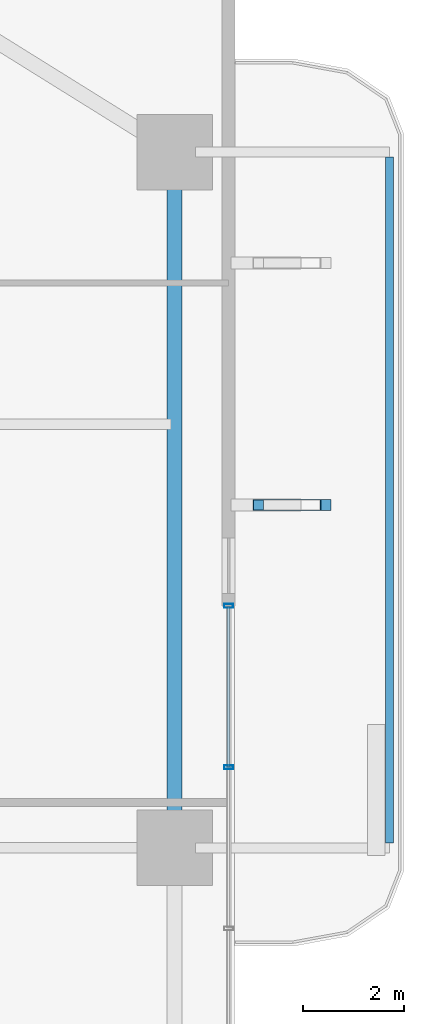
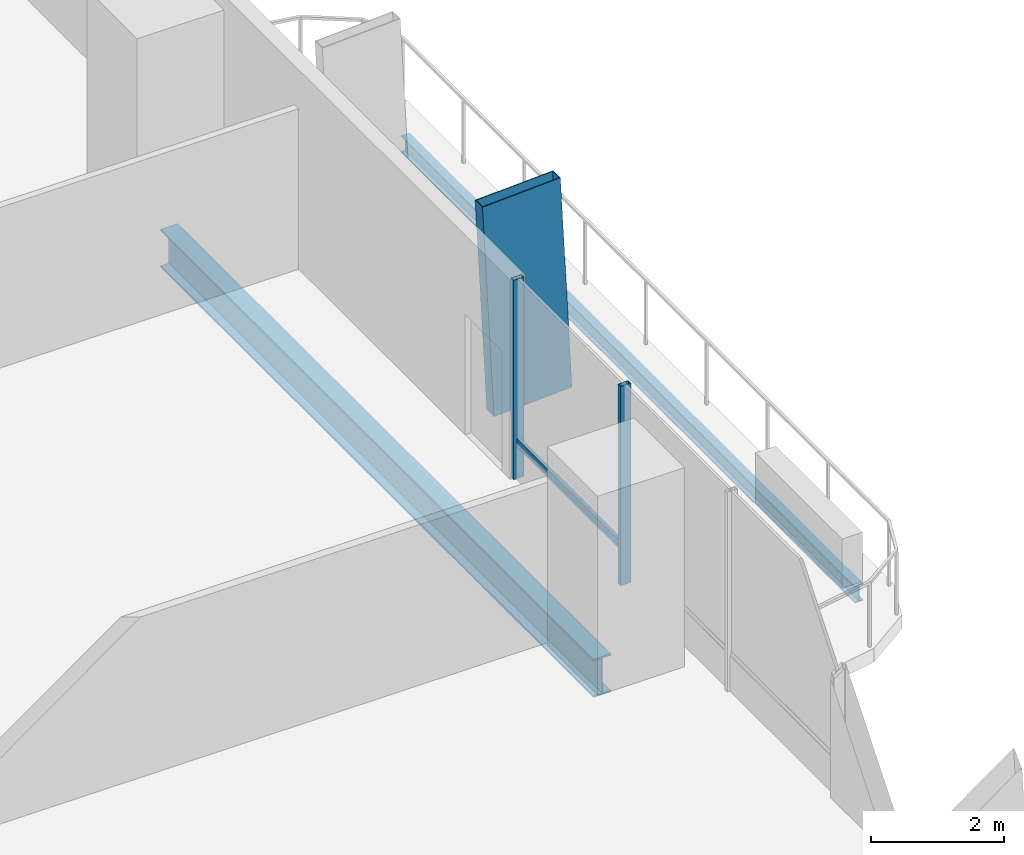
# One storey, part 13 of 24: 4 members, 2 beams, 1 element without a shape of its own.
"""IFC4 building model written with IfcOpenShell, lengths in metres."""

from ifc_helpers import new_model, si_unit, direction, frame, origin, origin_2d, place, context, subcontext, project, spatial, hollow_rectangle, i_section, extrude, material, layer, layer_set, material_profile, profile_set, type_object, element, aggregate, save


model = new_model("IFC4")

# Units and contexts
model_context = context("Model", 3, precision=1e-05, world=origin(), true_north=direction((0.0, 1.0)))
body_context = subcontext(model_context, "Body", "Model", "MODEL_VIEW")
ifc_project = project(units=[si_unit("LENGTHUNIT", "METRE"), si_unit("AREAUNIT", "SQUARE_METRE"), si_unit("VOLUMEUNIT", "CUBIC_METRE"), si_unit("PLANEANGLEUNIT", "RADIAN"), si_unit("MASSUNIT", "GRAM", prefix="KILO")], contexts=[model_context])

# Site, building, storey
site_placement = place(None, origin())
site = spatial("IfcSite", under=ifc_project, at=site_placement, CompositionType="ELEMENT")
building_placement = place(site_placement, origin())
building = spatial("IfcBuilding", under=site, at=building_placement, Name="Belovzor Exchange Tower", CompositionType="ELEMENT")
storey_placement = place(building_placement, frame((0.0, 0.0, 72.89990234375)))
storey = spatial("IfcBuildingStorey", under=building, at=storey_placement, Name="L17", CompositionType="ELEMENT", Elevation=72.89990234375)

# Member
ifc_material_1 = material(Name="Extruded Architectural Terracotta on Steel S355 Carrier", Category="masonry")
ifc_material_profile_1 = material_profile(ifc_material_1, hollow_rectangle(XDim=0.219970703125, YDim=1.35009765625, WallThickness=0.013916015625, at=origin_2d()))
ifc_profile_set_1 = profile_set([ifc_material_profile_1], Name="Extruded Architectural Terracotta on Steel S355 Carrier")
member_type_1 = type_object("IfcMemberType", Name="Base Arc Sweeping Terracotta Pylon Fin 1450", PredefinedType="USERDEFINED", material=ifc_profile_set_1)
member_1_placement = place(storey_placement, frame((57.927001953125, 35.60009765625, -0.25), z_axis=(-0.051449765599, 0.0, 0.998675583771), x_axis=(0.0, -1.0, 0.0)))
element("IfcMember", 1, at=member_1_placement, inside=storey, type_object=member_type_1, Name="FIN-TC145 Terracotta Facade Fin L17 E3", ObjectType="FIN", PredefinedType="USERDEFINED", context=body_context, shape_type="SweptSolid", body=[
    extrude(hollow_rectangle(XDim=0.219970703125, YDim=1.35009765625, WallThickness=0.013916015625, at=origin_2d()), origin(), (0.0, 0.0, 1.0), 3.9052734375),
])

# Beam
ifc_material_2 = material(Name="Steel S355", Category="steel")
ifc_material_profile_2 = material_profile(ifc_material_2, i_section(OverallWidth=0.14990234375, OverallDepth=0.300048828125, WebThickness=0.007080078125, FlangeThickness=0.0107421875, at=origin_2d()))
ifc_profile_set_2 = profile_set([ifc_material_profile_2], Name="Steel S355")
beam_type_1 = type_object("IfcBeamType", Name="Planted Balcony Fascia Edge Beam IPE 300", PredefinedType="BEAM", material=ifc_profile_set_2)
beam_1_placement = place(storey_placement, frame((59.762939453125, 28.89990234375, -0.39990234375), z_axis=(0.0, 1.0, 0.0), x_axis=(-1.0, 0.0, 0.0)))
element("IfcBeam", 2, at=beam_1_placement, inside=storey, type_object=beam_type_1, Name="BC-300 Planted Balcony Fascia Edge Beam IPE 300", PredefinedType="BEAM", context=body_context, shape_type="SweptSolid", body=[
    extrude(i_section(OverallWidth=0.14990234375, OverallDepth=0.300048828125, WebThickness=0.007080078125, FlangeThickness=0.0107421875, at=origin_2d()), origin(), (0.0, 0.0, 1.0), 13.60009765625),
])

# Curtain wall, members
ifc_material_3 = material(Name="Anodised Aluminium Framing", Category="aluminium")
ifc_layer = layer(ifc_material_3, 0.179931640625)
ifc_layer_set = layer_set([ifc_layer], Name="Anodised Aluminium Framing")
curtain_wall_type = type_object("IfcCurtainWallType", Name="Recessed Loggia Low-Iron Triple-Glazed Curtain Wall", PredefinedType="NOTDEFINED", material=ifc_layer_set)
curtain_wall_placement = place(storey_placement, origin())
curtain_wall = element("IfcCurtainWall", 3, at=curtain_wall_placement, inside=storey, type_object=curtain_wall_type, Name="CW3 Recessed Loggia Low-Iron Triple-Glazed Curtain Wall L17", PredefinedType="NOTDEFINED")
ifc_material_4 = material(Name="Steel S355", Category="steel")
ifc_material_profile_3 = material_profile(ifc_material_4, hollow_rectangle(XDim=0.074951171875, YDim=0.179931640625, WallThickness=0.0048828125, at=origin_2d()))
ifc_profile_set_3 = profile_set([ifc_material_profile_3], Name="Steel S355")
member_type_2 = type_object("IfcMemberType", Name="Thermally Broken Curtain Wall Mullion 180x75", PredefinedType="MULLION", material=ifc_profile_set_3)
member_2_placement = place(storey_placement, frame((56.570068359375, 33.60009765625, 0.0), z_axis=(0.0, 0.0, 1.0), x_axis=(0.0, -1.0, 0.0)))
member_2 = element("IfcMember", 4, at=member_2_placement, type_object=member_type_2, Name="CW-M180 Curtain Wall Mullion 1", PredefinedType="MULLION", context=body_context, shape_type="SweptSolid", body=[
    extrude(hollow_rectangle(XDim=0.074951171875, YDim=0.179931640625, WallThickness=0.0048828125, at=origin_2d()), origin(), (0.0, 0.0, 1.0), 3.650146484375),
])
member_3_placement = place(storey_placement, frame((56.570068359375, 30.39990234375, 0.0), z_axis=(0.0, 0.0, 1.0), x_axis=(0.0, -1.0, 0.0)))
member_3 = element("IfcMember", 5, at=member_3_placement, type_object=member_type_2, Name="CW-M180 Curtain Wall Mullion 2", PredefinedType="MULLION", context=body_context, shape_type="SweptSolid", body=[
    extrude(hollow_rectangle(XDim=0.074951171875, YDim=0.179931640625, WallThickness=0.0048828125, at=origin_2d()), origin(), (0.0, 0.0, 1.0), 3.650146484375),
])
ifc_material_5 = material(Name="Steel S355", Category="steel")
ifc_material_profile_4 = material_profile(ifc_material_5, hollow_rectangle(XDim=0.06005859375, YDim=0.14990234375, WallThickness=0.00390625, at=origin_2d()))
ifc_profile_set_4 = profile_set([ifc_material_profile_4], Name="Steel S355")
member_type_3 = type_object("IfcMemberType", Name="Thermally Broken Curtain Wall Transom 150x60", PredefinedType="USERDEFINED", material=ifc_profile_set_4)
member_4_placement = place(storey_placement, frame((56.570068359375, 33.592041015625, 0.650146484375), z_axis=(0.0, -1.0, 0.0), x_axis=(1.0, 0.0, 0.0)))
member_4 = element("IfcMember", 6, at=member_4_placement, type_object=member_type_3, Name="CW-T150 Curtain Wall Transom 1", ObjectType="TRANSOM", PredefinedType="USERDEFINED", context=body_context, shape_type="SweptSolid", body=[
    extrude(hollow_rectangle(XDim=0.06005859375, YDim=0.14990234375, WallThickness=0.00390625, at=origin_2d()), origin(), (0.0, 0.0, 1.0), 3.18408203125),
])
aggregate(curtain_wall, [member_2, member_3, member_4])

# Beam
ifc_material_6 = material(Name="Steel S355", Category="steel")
ifc_material_profile_5 = material_profile(ifc_material_6, i_section(OverallWidth=0.300048828125, OverallDepth=0.699951171875, WebThickness=0.01708984375, FlangeThickness=0.031982421875, at=origin_2d()))
ifc_profile_set_5 = profile_set([ifc_material_profile_5], Name="Steel S355")
beam_type_2 = type_object("IfcBeamType", Name="Zone 1 Primary Perimeter Girder HEB 700", PredefinedType="BEAM", material=ifc_profile_set_5)
beam_2_placement = place(storey_placement, frame((55.5, 29.212890625, -0.599853515625), z_axis=(0.0, 1.0, 0.0), x_axis=(-1.0, 0.0, 0.0)))
element("IfcBeam", 7, at=beam_2_placement, inside=storey, type_object=beam_type_2, Name="FG-Z1 Zone 1 Primary Perimeter Girder HEB 700", PredefinedType="BEAM", context=body_context, shape_type="SweptSolid", body=[
    extrude(i_section(OverallWidth=0.300048828125, OverallDepth=0.699951171875, WebThickness=0.01708984375, FlangeThickness=0.031982421875, at=origin_2d()), origin(), (0.0, 0.0, 1.0), 12.97509765625),
])

save(model, "model.ifc")
